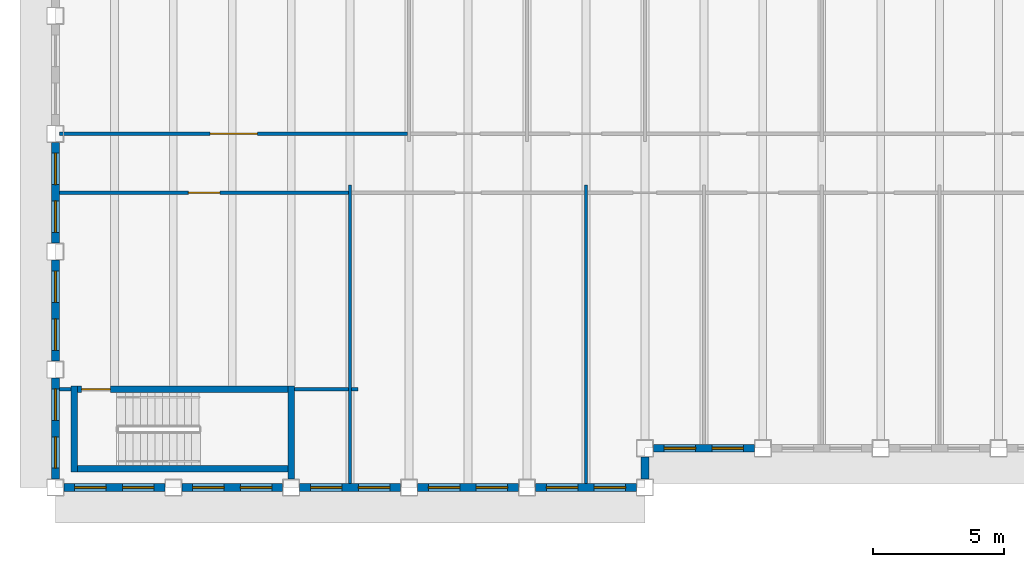
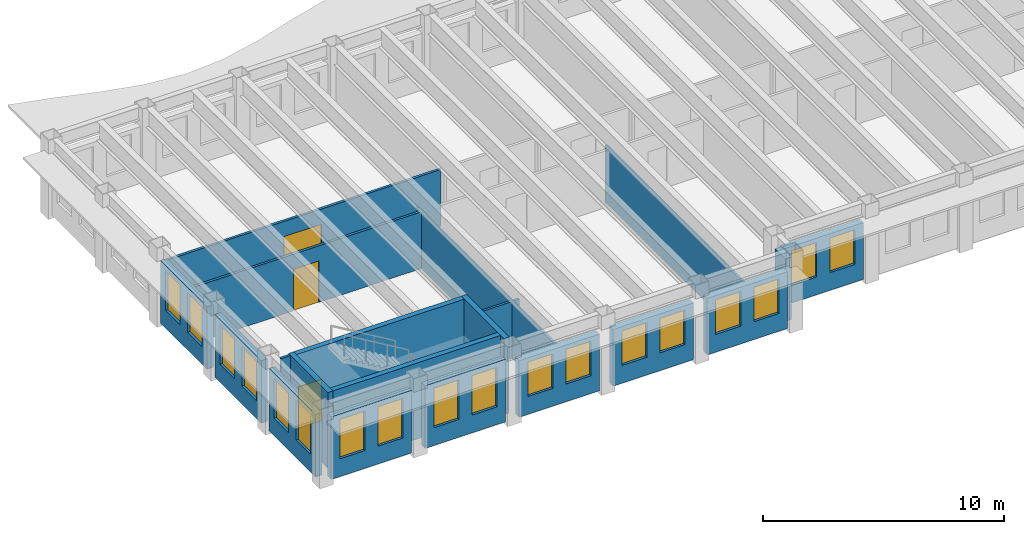
# One storey, part 2 of 12: 21 walls, 18 windows, 3 doors, 21 openings.
"""IFC4 building model written with IfcOpenShell, lengths in metres."""

from ifc_helpers import new_model, si_unit, direction, frame, frame_2d, origin, place, context, subcontext, project, spatial, rectangle, extrude, material, layer, layer_set, type_object, element, fill, save


model = new_model("IFC4")

# Units and contexts
model_context = context("Model", 3, precision=1e-05, world=origin(), true_north=direction((0.0, 1.0)))
body_context = subcontext(model_context, "Body", "Model", "MODEL_VIEW")
ifc_project = project(units=[si_unit("LENGTHUNIT", "METRE"), si_unit("AREAUNIT", "SQUARE_METRE"), si_unit("VOLUMEUNIT", "CUBIC_METRE"), si_unit("PLANEANGLEUNIT", "RADIAN"), si_unit("MASSUNIT", "GRAM", prefix="KILO")], contexts=[model_context])

# Site, building, storey
site_placement = place(None, origin())
site = spatial("IfcSite", under=ifc_project, at=site_placement, CompositionType="ELEMENT")
building_placement = place(site_placement, origin())
building = spatial("IfcBuilding", under=site, at=building_placement, Name="Sennacour Bend Tower", CompositionType="ELEMENT")
storey_placement = place(building_placement, frame((0.0, 0.0, 261.0)))
storey = spatial("IfcBuildingStorey", under=building, at=storey_placement, Name="L60", CompositionType="ELEMENT", Elevation=261.0)

# Walls
ifc_material_1 = material(Name="Plasterboard partition on steel studs", Category="steel")
ifc_layer_1 = layer(ifc_material_1, 0.1201171875, Name="Plasterboard partition on steel studs", Category="steel")
ifc_layer_set_1 = layer_set([ifc_layer_1], Name="Plasterboard partition on steel studs")
wall_type_1 = type_object("IfcWallType", Name="Partition 120", PredefinedType="PARTITIONING", material=ifc_layer_set_1)
for number, where, z_axis, x_axis, name in (
    (1, (11.25, 0.14990234375, 0.0), (0.0, 0.0, 1.0), (0.0, 1.0, 0.0), "P-L60-W004a"),
    (2, (20.25, 0.14990234375, 0.0), (0.0, 0.0, 1.0), (0.0, 1.0, 0.0), "P-L60-W007a"),
):
    element("IfcWall", number, at=place(storey_placement, frame(where, z_axis=z_axis, x_axis=x_axis)), inside=storey, type_object=wall_type_1, Name=name, PredefinedType="PARTITIONING", context=body_context, shape_type="SweptSolid", body=[
        extrude(rectangle(XDim=11.400146484375, YDim=0.1201171875, at=frame_2d((5.7001953125, 0.0))), origin(), (0.0, 0.0, 1.0), 2.8701171875),
    ])
wall_1_placement = place(storey_placement, frame((0.14990234375, 3.75, 0.0), z_axis=(0.0, 0.0, 1.0), x_axis=(1.0, 0.0, 0.0)))
element("IfcWall", 3, at=wall_1_placement, inside=storey, type_object=wall_type_1, Name="P-L60-W032a", PredefinedType="PARTITIONING", context=body_context, shape_type="SweptSolid", body=[
    extrude(rectangle(XDim=0.4501953125, YDim=0.1201171875, at=frame_2d((0.22509765625, 0.0))), origin(), (0.0, 0.0, 1.0), 3.85009765625),
])
wall_2_placement = place(storey_placement, frame((9.125, 3.75, 0.0), z_axis=(0.0, 0.0, 1.0), x_axis=(1.0, 0.0, 0.0)))
element("IfcWall", 4, at=wall_2_placement, inside=storey, type_object=wall_type_1, Name="P-L60-W034aa", PredefinedType="PARTITIONING", context=body_context, shape_type="SweptSolid", body=[
    extrude(rectangle(XDim=2.06494140625, YDim=0.1201171875, at=frame_2d((1.032470703125, 0.0))), origin(), (0.0, 0.0, 1.0), 2.8701171875),
])
wall_3_placement = place(storey_placement, frame((11.31005859375, 3.75, 0.0), z_axis=(0.0, 0.0, 1.0), x_axis=(1.0, 0.0, 0.0)))
element("IfcWall", 5, at=wall_3_placement, inside=storey, type_object=wall_type_1, Name="P-L60-W034ab", PredefinedType="PARTITIONING", context=body_context, shape_type="SweptSolid", body=[
    extrude(rectangle(XDim=0.239990234375, YDim=0.1201171875, at=frame_2d((0.1201171875, 0.0))), origin(), (0.0, 0.0, 1.0), 2.8701171875),
])

# Wall, opening, door
wall_4_placement = place(storey_placement, frame((0.14990234375, 13.5, 0.0), z_axis=(0.0, 0.0, 1.0), x_axis=(1.0, 0.0, 0.0)))
wall_4 = element("IfcWall", 6, at=wall_4_placement, inside=storey, type_object=wall_type_1, Name="P-L60-W041aa", PredefinedType="PARTITIONING", context=body_context, shape_type="SweptSolid", body=[
    extrude(rectangle(XDim=13.2900390625, YDim=0.1201171875, at=frame_2d((6.64501953125, 0.0))), origin(), (0.0, 0.0, 1.0), 2.8701171875),
])
opening_1_placement = place(wall_4_placement, frame((5.755126953125, 0.0, 0.0)))
opening_1 = element("IfcOpeningElement", 7, at=opening_1_placement, cuts=wall_4, Name="Opening OD3", PredefinedType="OPENING", context=body_context, shape_type="SweptSolid", body=[
    extrude(rectangle(XDim=1.800048828125, YDim=2.10009765625, at=frame_2d((0.89990234375, 1.050048828125))), frame((0.0, 0.070068359375, 0.0), z_axis=(0.0, -1.0, 0.0), x_axis=(1.0, 0.0, 0.0)), (0.0, 0.0, 1.0), 0.14013671875),
])
ifc_material_2 = material(Name="Timber", Category="wood")
door_type_1 = type_object("IfcDoorType", Name="DR-OFFICE-1800", OperationType="NOTDEFINED", PredefinedType="DOOR", material=ifc_material_2)
door_1_placement = place(opening_1_placement, origin())
door_1 = element("IfcDoor", 8, at=door_1_placement, inside=storey, type_object=door_type_1, Name="Door", OperationType="DOUBLE_DOOR_SINGLE_SWING", OverallHeight=2.10009765625, OverallWidth=1.800048828125, PredefinedType="DOOR", context=body_context, shape_type="SweptSolid", body=[
    extrude(rectangle(XDim=1.800048828125, YDim=2.10009765625, at=frame_2d((0.89990234375, 1.050048828125))), frame((0.0, 0.02490234375, 0.0), z_axis=(0.0, -1.0, 0.0), x_axis=(1.0, 0.0, 0.0)), (0.0, 0.0, 1.0), 0.050048828125),
])
fill(opening_1, door_1)

ifc_layer_2 = layer(ifc_material_1, 0.1201171875, Name="Plasterboard partition on steel studs", Category="steel")
ifc_layer_set_2 = layer_set([ifc_layer_2], Name="Plasterboard partition on steel studs")
wall_type_2 = type_object("IfcWallType", Name="Partition 120 EI 30", PredefinedType="PARTITIONING", material=ifc_layer_set_2)
wall_5_placement = place(storey_placement, frame((0.14990234375, 11.25, 0.0), z_axis=(0.0, 0.0, 1.0), x_axis=(1.0, 0.0, 0.0)))
wall_5 = element("IfcWall", 9, at=wall_5_placement, inside=storey, type_object=wall_type_2, Name="P-L60-W039aa", PredefinedType="PARTITIONING", context=body_context, shape_type="SweptSolid", body=[
    extrude(rectangle(XDim=11.0400390625, YDim=0.1201171875, at=frame_2d((5.52001953125, 0.0))), origin(), (0.0, 0.0, 1.0), 2.8701171875),
])
opening_2_placement = place(wall_5_placement, frame((4.93017578125, 0.0, 0.0)))
opening_2 = element("IfcOpeningElement", 10, at=opening_2_placement, cuts=wall_5, Name="Opening KD2", PredefinedType="OPENING", context=body_context, shape_type="SweptSolid", body=[
    extrude(rectangle(XDim=1.199951171875, YDim=2.10009765625, at=frame_2d((0.60009765625, 1.050048828125))), frame((0.0, 0.070068359375, 0.0), z_axis=(0.0, -1.0, 0.0), x_axis=(1.0, 0.0, 0.0)), (0.0, 0.0, 1.0), 0.14013671875),
])
ifc_material_3 = material(Name="Painted steel", Category="steel")
door_type_2 = type_object("IfcDoorType", Name="DR-CORRIDOR-1200", OperationType="NOTDEFINED", PredefinedType="DOOR", material=ifc_material_3)
door_2_placement = place(opening_2_placement, origin())
door_2 = element("IfcDoor", 11, at=door_2_placement, inside=storey, type_object=door_type_2, Name="Door", OperationType="SINGLE_SWING_LEFT", OverallHeight=2.10009765625, OverallWidth=1.199951171875, PredefinedType="DOOR", context=body_context, shape_type="SweptSolid", body=[
    extrude(rectangle(XDim=1.199951171875, YDim=2.10009765625, at=frame_2d((0.60009765625, 1.050048828125))), frame((0.0, 0.02490234375, 0.0), z_axis=(0.0, -1.0, 0.0), x_axis=(1.0, 0.0, 0.0)), (0.0, 0.0, 1.0), 0.050048828125),
])
fill(opening_2, door_2)

# Wall
ifc_material_4 = material(Name="Warm limestone cladding", Category="masonry")
ifc_layer_3 = layer(ifc_material_4, 0.050048828125, Name="Warm limestone cladding", Category="masonry")
ifc_material_5 = material(Name="Precast concrete C40/50", Category="concrete")
ifc_layer_4 = layer(ifc_material_5, 0.25, Name="Precast concrete C40/50", Category="concrete")
ifc_layer_set_3 = layer_set([ifc_layer_3, ifc_layer_4], Name="Precast concrete C40/50 with limestone cladding")
wall_type_3 = type_object("IfcWallType", Name="STONE-CLAD PRECAST SPANDREL 300", PredefinedType="STANDARD", material=ifc_layer_set_3)
wall_6_placement = place(storey_placement, frame((22.5, 0.324951171875, 0.0), z_axis=(0.0, 0.0, 1.0), x_axis=(0.0, 1.0, 0.0)))
element("IfcWall", 12, at=wall_6_placement, inside=storey, type_object=wall_type_3, Name="Stone spandrel and pier wall L60 00.00", PredefinedType="STANDARD", context=body_context, shape_type="SweptSolid", body=[
    extrude(rectangle(XDim=0.85009765625, YDim=0.300048828125, at=frame_2d((0.425048828125, 0.0))), origin(), (0.0, 0.0, 1.0), 3.162109375),
])

# Wall, openings, windows
wall_7_placement = place(storey_placement, frame((22.824951171875, 1.5, 0.0), z_axis=(0.0, 0.0, 1.0), x_axis=(1.0, 0.0, 0.0)))
wall_7 = element("IfcWall", 13, at=wall_7_placement, inside=storey, type_object=wall_type_3, Name="Stone spandrel and pier wall L60 01.00", PredefinedType="STANDARD", context=body_context, shape_type="SweptSolid", body=[
    extrude(rectangle(XDim=3.85009765625, YDim=0.300048828125, at=frame_2d((1.925048828125, 0.0))), origin(), (0.0, 0.0, 1.0), 2.8701171875),
])
opening_3_placement = place(wall_7_placement, frame((0.41259765625, 0.0, 0.89990234375)))
opening_3 = element("IfcOpeningElement", 14, at=opening_3_placement, cuts=wall_7, Name="Opening W16", PredefinedType="OPENING", context=body_context, shape_type="SweptSolid", body=[
    extrude(rectangle(XDim=1.199951171875, YDim=1.75, at=frame_2d((0.60009765625, 0.875))), frame((0.0, 0.16015625, 0.0), z_axis=(0.0, -1.0, 0.0), x_axis=(1.0, 0.0, 0.0)), (0.0, 0.0, 1.0), 0.320068359375),
])
opening_4_placement = place(wall_7_placement, frame((2.237548828125, 0.0, 0.89990234375)))
opening_4 = element("IfcOpeningElement", 15, at=opening_4_placement, cuts=wall_7, Name="Opening W16", PredefinedType="OPENING", context=body_context, shape_type="SweptSolid", body=[
    extrude(rectangle(XDim=1.199951171875, YDim=1.75, at=frame_2d((0.60009765625, 0.875))), frame((0.0, 0.16015625, 0.0), z_axis=(0.0, -1.0, 0.0), x_axis=(1.0, 0.0, 0.0)), (0.0, 0.0, 1.0), 0.320068359375),
])
ifc_material_6 = material(Name="Clear low-emissivity glass", Category="glass")
window_type_1 = type_object("IfcWindowType", Name="WIN-RIBBON-1200x1750", PartitioningType="SINGLE_PANEL", PredefinedType="WINDOW", material=ifc_material_6)
window_1_placement = place(opening_3_placement, origin())
window_1 = element("IfcWindow", 16, at=window_1_placement, inside=storey, type_object=window_type_1, Name="Ribbon window L60 01.00.0", OverallHeight=1.75, OverallWidth=1.199951171875, PartitioningType="SINGLE_PANEL", PredefinedType="WINDOW", context=body_context, shape_type="SweptSolid", body=[
    extrude(rectangle(XDim=1.199951171875, YDim=1.75, at=frame_2d((0.60009765625, 0.875))), frame((0.0, 0.030029296875, 0.0), z_axis=(0.0, -1.0, 0.0), x_axis=(1.0, 0.0, 0.0)), (0.0, 0.0, 1.0), 0.06005859375),
])
fill(opening_3, window_1)
window_2_placement = place(opening_4_placement, origin())
window_2 = element("IfcWindow", 17, at=window_2_placement, inside=storey, type_object=window_type_1, Name="Ribbon window L60 01.00.1", OverallHeight=1.75, OverallWidth=1.199951171875, PartitioningType="SINGLE_PANEL", PredefinedType="WINDOW", context=body_context, shape_type="SweptSolid", body=[
    extrude(rectangle(XDim=1.199951171875, YDim=1.75, at=frame_2d((0.60009765625, 0.875))), frame((0.0, 0.030029296875, 0.0), z_axis=(0.0, -1.0, 0.0), x_axis=(1.0, 0.0, 0.0)), (0.0, 0.0, 1.0), 0.06005859375),
])
fill(opening_4, window_2)

wall_8_placement = place(storey_placement, frame((0.0, 13.175048828125, 0.0), z_axis=(0.0, 0.0, 1.0), x_axis=(0.0, -1.0, 0.0)))
wall_8 = element("IfcWall", 18, at=wall_8_placement, inside=storey, type_object=wall_type_3, Name="Stone spandrel and pier wall L60 10.02", PredefinedType="STANDARD", context=body_context, shape_type="SweptSolid", body=[
    extrude(rectangle(XDim=3.85009765625, YDim=0.300048828125, at=frame_2d((1.925048828125, 0.0))), origin(), (0.0, 0.0, 1.0), 3.162109375),
])
opening_5_placement = place(wall_8_placement, frame((0.41259765625, 0.0, 0.89990234375)))
opening_5 = element("IfcOpeningElement", 19, at=opening_5_placement, cuts=wall_8, Name="Opening W14", PredefinedType="OPENING", context=body_context, shape_type="SweptSolid", body=[
    extrude(rectangle(XDim=1.199951171875, YDim=2.0, at=frame_2d((0.60009765625, 1.0))), frame((0.0, 0.16015625, 0.0), z_axis=(0.0, -1.0, 0.0), x_axis=(1.0, 0.0, 0.0)), (0.0, 0.0, 1.0), 0.320068359375),
])
opening_6_placement = place(wall_8_placement, frame((2.237548828125, 0.0, 0.89990234375)))
opening_6 = element("IfcOpeningElement", 20, at=opening_6_placement, cuts=wall_8, Name="Opening W14", PredefinedType="OPENING", context=body_context, shape_type="SweptSolid", body=[
    extrude(rectangle(XDim=1.199951171875, YDim=2.0, at=frame_2d((0.60009765625, 1.0))), frame((0.0, 0.16015625, 0.0), z_axis=(0.0, -1.0, 0.0), x_axis=(1.0, 0.0, 0.0)), (0.0, 0.0, 1.0), 0.320068359375),
])
window_type_2 = type_object("IfcWindowType", Name="WIN-RIBBON-1200x2000", PartitioningType="SINGLE_PANEL", PredefinedType="WINDOW", material=ifc_material_6)
window_3_placement = place(opening_5_placement, origin())
window_3 = element("IfcWindow", 21, at=window_3_placement, inside=storey, type_object=window_type_2, Name="Ribbon window L60 10.02.0", OverallHeight=2.0, OverallWidth=1.199951171875, PartitioningType="SINGLE_PANEL", PredefinedType="WINDOW", context=body_context, shape_type="SweptSolid", body=[
    extrude(rectangle(XDim=1.199951171875, YDim=2.0, at=frame_2d((0.60009765625, 1.0))), frame((0.0, 0.030029296875, 0.0), z_axis=(0.0, -1.0, 0.0), x_axis=(1.0, 0.0, 0.0)), (0.0, 0.0, 1.0), 0.06005859375),
])
fill(opening_5, window_3)
window_4_placement = place(opening_6_placement, origin())
window_4 = element("IfcWindow", 22, at=window_4_placement, inside=storey, type_object=window_type_2, Name="Ribbon window L60 10.02.1", OverallHeight=2.0, OverallWidth=1.199951171875, PartitioningType="SINGLE_PANEL", PredefinedType="WINDOW", context=body_context, shape_type="SweptSolid", body=[
    extrude(rectangle(XDim=1.199951171875, YDim=2.0, at=frame_2d((0.60009765625, 1.0))), frame((0.0, 0.030029296875, 0.0), z_axis=(0.0, -1.0, 0.0), x_axis=(1.0, 0.0, 0.0)), (0.0, 0.0, 1.0), 0.06005859375),
])
fill(opening_6, window_4)

wall_9_placement = place(storey_placement, frame((0.0, 8.675048828125, 0.0), z_axis=(0.0, 0.0, 1.0), x_axis=(0.0, -1.0, 0.0)))
wall_9 = element("IfcWall", 23, at=wall_9_placement, inside=storey, type_object=wall_type_3, Name="Stone spandrel and pier wall L60 10.03", PredefinedType="STANDARD", context=body_context, shape_type="SweptSolid", body=[
    extrude(rectangle(XDim=3.85009765625, YDim=0.300048828125, at=frame_2d((1.925048828125, 0.0))), origin(), (0.0, 0.0, 1.0), 3.162109375),
])
opening_7_placement = place(wall_9_placement, frame((0.41259765625, 0.0, 0.89990234375)))
opening_7 = element("IfcOpeningElement", 24, at=opening_7_placement, cuts=wall_9, Name="Opening W14", PredefinedType="OPENING", context=body_context, shape_type="SweptSolid", body=[
    extrude(rectangle(XDim=1.199951171875, YDim=2.0, at=frame_2d((0.60009765625, 1.0))), frame((0.0, 0.16015625, 0.0), z_axis=(0.0, -1.0, 0.0), x_axis=(1.0, 0.0, 0.0)), (0.0, 0.0, 1.0), 0.320068359375),
])
opening_8_placement = place(wall_9_placement, frame((2.237548828125, 0.0, 0.89990234375)))
opening_8 = element("IfcOpeningElement", 25, at=opening_8_placement, cuts=wall_9, Name="Opening W14", PredefinedType="OPENING", context=body_context, shape_type="SweptSolid", body=[
    extrude(rectangle(XDim=1.199951171875, YDim=2.0, at=frame_2d((0.60009765625, 1.0))), frame((0.0, 0.16015625, 0.0), z_axis=(0.0, -1.0, 0.0), x_axis=(1.0, 0.0, 0.0)), (0.0, 0.0, 1.0), 0.320068359375),
])
window_5_placement = place(opening_7_placement, origin())
window_5 = element("IfcWindow", 26, at=window_5_placement, inside=storey, type_object=window_type_2, Name="Ribbon window L60 10.03.0", OverallHeight=2.0, OverallWidth=1.199951171875, PartitioningType="SINGLE_PANEL", PredefinedType="WINDOW", context=body_context, shape_type="SweptSolid", body=[
    extrude(rectangle(XDim=1.199951171875, YDim=2.0, at=frame_2d((0.60009765625, 1.0))), frame((0.0, 0.030029296875, 0.0), z_axis=(0.0, -1.0, 0.0), x_axis=(1.0, 0.0, 0.0)), (0.0, 0.0, 1.0), 0.06005859375),
])
fill(opening_7, window_5)
window_6_placement = place(opening_8_placement, origin())
window_6 = element("IfcWindow", 27, at=window_6_placement, inside=storey, type_object=window_type_2, Name="Ribbon window L60 10.03.1", OverallHeight=2.0, OverallWidth=1.199951171875, PartitioningType="SINGLE_PANEL", PredefinedType="WINDOW", context=body_context, shape_type="SweptSolid", body=[
    extrude(rectangle(XDim=1.199951171875, YDim=2.0, at=frame_2d((0.60009765625, 1.0))), frame((0.0, 0.030029296875, 0.0), z_axis=(0.0, -1.0, 0.0), x_axis=(1.0, 0.0, 0.0)), (0.0, 0.0, 1.0), 0.06005859375),
])
fill(opening_8, window_6)

wall_10_placement = place(storey_placement, frame((0.0, 4.175048828125, 0.0), z_axis=(0.0, 0.0, 1.0), x_axis=(0.0, -1.0, 0.0)))
wall_10 = element("IfcWall", 28, at=wall_10_placement, inside=storey, type_object=wall_type_3, Name="Stone spandrel and pier wall L60 10.04", PredefinedType="STANDARD", context=body_context, shape_type="SweptSolid", body=[
    extrude(rectangle(XDim=3.85009765625, YDim=0.300048828125, at=frame_2d((1.925048828125, 0.0))), origin(), (0.0, 0.0, 1.0), 3.162109375),
])
opening_9_placement = place(wall_10_placement, frame((0.41259765625, 0.0, 0.89990234375)))
opening_9 = element("IfcOpeningElement", 29, at=opening_9_placement, cuts=wall_10, Name="Opening W14", PredefinedType="OPENING", context=body_context, shape_type="SweptSolid", body=[
    extrude(rectangle(XDim=1.199951171875, YDim=2.0, at=frame_2d((0.60009765625, 1.0))), frame((0.0, 0.16015625, 0.0), z_axis=(0.0, -1.0, 0.0), x_axis=(1.0, 0.0, 0.0)), (0.0, 0.0, 1.0), 0.320068359375),
])
opening_10_placement = place(wall_10_placement, frame((2.237548828125, 0.0, 0.89990234375)))
opening_10 = element("IfcOpeningElement", 30, at=opening_10_placement, cuts=wall_10, Name="Opening W14", PredefinedType="OPENING", context=body_context, shape_type="SweptSolid", body=[
    extrude(rectangle(XDim=1.199951171875, YDim=2.0, at=frame_2d((0.60009765625, 1.0))), frame((0.0, 0.16015625, 0.0), z_axis=(0.0, -1.0, 0.0), x_axis=(1.0, 0.0, 0.0)), (0.0, 0.0, 1.0), 0.320068359375),
])
window_7_placement = place(opening_9_placement, origin())
window_7 = element("IfcWindow", 31, at=window_7_placement, inside=storey, type_object=window_type_2, Name="Ribbon window L60 10.04.0", OverallHeight=2.0, OverallWidth=1.199951171875, PartitioningType="SINGLE_PANEL", PredefinedType="WINDOW", context=body_context, shape_type="SweptSolid", body=[
    extrude(rectangle(XDim=1.199951171875, YDim=2.0, at=frame_2d((0.60009765625, 1.0))), frame((0.0, 0.030029296875, 0.0), z_axis=(0.0, -1.0, 0.0), x_axis=(1.0, 0.0, 0.0)), (0.0, 0.0, 1.0), 0.06005859375),
])
fill(opening_9, window_7)
window_8_placement = place(opening_10_placement, origin())
window_8 = element("IfcWindow", 32, at=window_8_placement, inside=storey, type_object=window_type_2, Name="Ribbon window L60 10.04.1", OverallHeight=2.0, OverallWidth=1.199951171875, PartitioningType="SINGLE_PANEL", PredefinedType="WINDOW", context=body_context, shape_type="SweptSolid", body=[
    extrude(rectangle(XDim=1.199951171875, YDim=2.0, at=frame_2d((0.60009765625, 1.0))), frame((0.0, 0.030029296875, 0.0), z_axis=(0.0, -1.0, 0.0), x_axis=(1.0, 0.0, 0.0)), (0.0, 0.0, 1.0), 0.06005859375),
])
fill(opening_10, window_8)

wall_11_placement = place(storey_placement, frame((0.324951171875, 0.0, 0.0), z_axis=(0.0, 0.0, 1.0), x_axis=(1.0, 0.0, 0.0)))
wall_11 = element("IfcWall", 33, at=wall_11_placement, inside=storey, type_object=wall_type_3, Name="Stone spandrel and pier wall L60 11.00", PredefinedType="STANDARD", context=body_context, shape_type="SweptSolid", body=[
    extrude(rectangle(XDim=3.85009765625, YDim=0.300048828125, at=frame_2d((1.925048828125, 0.0))), origin(), (0.0, 0.0, 1.0), 3.162109375),
])
opening_11_placement = place(wall_11_placement, frame((0.41259765625, 0.0, 0.89990234375)))
opening_11 = element("IfcOpeningElement", 34, at=opening_11_placement, cuts=wall_11, Name="Opening W14", PredefinedType="OPENING", context=body_context, shape_type="SweptSolid", body=[
    extrude(rectangle(XDim=1.199951171875, YDim=2.0, at=frame_2d((0.60009765625, 1.0))), frame((0.0, 0.16015625, 0.0), z_axis=(0.0, -1.0, 0.0), x_axis=(1.0, 0.0, 0.0)), (0.0, 0.0, 1.0), 0.320068359375),
])
opening_12_placement = place(wall_11_placement, frame((2.237548828125, 0.0, 0.89990234375)))
opening_12 = element("IfcOpeningElement", 35, at=opening_12_placement, cuts=wall_11, Name="Opening W14", PredefinedType="OPENING", context=body_context, shape_type="SweptSolid", body=[
    extrude(rectangle(XDim=1.199951171875, YDim=2.0, at=frame_2d((0.60009765625, 1.0))), frame((0.0, 0.16015625, 0.0), z_axis=(0.0, -1.0, 0.0), x_axis=(1.0, 0.0, 0.0)), (0.0, 0.0, 1.0), 0.320068359375),
])
window_9_placement = place(opening_11_placement, origin())
window_9 = element("IfcWindow", 36, at=window_9_placement, inside=storey, type_object=window_type_2, Name="Ribbon window L60 11.00.0", OverallHeight=2.0, OverallWidth=1.199951171875, PartitioningType="SINGLE_PANEL", PredefinedType="WINDOW", context=body_context, shape_type="SweptSolid", body=[
    extrude(rectangle(XDim=1.199951171875, YDim=2.0, at=frame_2d((0.60009765625, 1.0))), frame((0.0, 0.030029296875, 0.0), z_axis=(0.0, -1.0, 0.0), x_axis=(1.0, 0.0, 0.0)), (0.0, 0.0, 1.0), 0.06005859375),
])
fill(opening_11, window_9)
window_10_placement = place(opening_12_placement, origin())
window_10 = element("IfcWindow", 37, at=window_10_placement, inside=storey, type_object=window_type_2, Name="Ribbon window L60 11.00.1", OverallHeight=2.0, OverallWidth=1.199951171875, PartitioningType="SINGLE_PANEL", PredefinedType="WINDOW", context=body_context, shape_type="SweptSolid", body=[
    extrude(rectangle(XDim=1.199951171875, YDim=2.0, at=frame_2d((0.60009765625, 1.0))), frame((0.0, 0.030029296875, 0.0), z_axis=(0.0, -1.0, 0.0), x_axis=(1.0, 0.0, 0.0)), (0.0, 0.0, 1.0), 0.06005859375),
])
fill(opening_12, window_10)

wall_12_placement = place(storey_placement, frame((4.824951171875, 0.0, 0.0), z_axis=(0.0, 0.0, 1.0), x_axis=(1.0, 0.0, 0.0)))
wall_12 = element("IfcWall", 38, at=wall_12_placement, inside=storey, type_object=wall_type_3, Name="Stone spandrel and pier wall L60 11.01", PredefinedType="STANDARD", context=body_context, shape_type="SweptSolid", body=[
    extrude(rectangle(XDim=3.85009765625, YDim=0.300048828125, at=frame_2d((1.925048828125, 0.0))), origin(), (0.0, 0.0, 1.0), 3.162109375),
])
opening_13_placement = place(wall_12_placement, frame((0.41259765625, 0.0, 0.89990234375)))
opening_13 = element("IfcOpeningElement", 39, at=opening_13_placement, cuts=wall_12, Name="Opening W14", PredefinedType="OPENING", context=body_context, shape_type="SweptSolid", body=[
    extrude(rectangle(XDim=1.199951171875, YDim=2.0, at=frame_2d((0.60009765625, 1.0))), frame((0.0, 0.16015625, 0.0), z_axis=(0.0, -1.0, 0.0), x_axis=(1.0, 0.0, 0.0)), (0.0, 0.0, 1.0), 0.320068359375),
])
opening_14_placement = place(wall_12_placement, frame((2.237548828125, 0.0, 0.89990234375)))
opening_14 = element("IfcOpeningElement", 40, at=opening_14_placement, cuts=wall_12, Name="Opening W14", PredefinedType="OPENING", context=body_context, shape_type="SweptSolid", body=[
    extrude(rectangle(XDim=1.199951171875, YDim=2.0, at=frame_2d((0.60009765625, 1.0))), frame((0.0, 0.16015625, 0.0), z_axis=(0.0, -1.0, 0.0), x_axis=(1.0, 0.0, 0.0)), (0.0, 0.0, 1.0), 0.320068359375),
])
window_11_placement = place(opening_13_placement, origin())
window_11 = element("IfcWindow", 41, at=window_11_placement, inside=storey, type_object=window_type_2, Name="Ribbon window L60 11.01.0", OverallHeight=2.0, OverallWidth=1.199951171875, PartitioningType="SINGLE_PANEL", PredefinedType="WINDOW", context=body_context, shape_type="SweptSolid", body=[
    extrude(rectangle(XDim=1.199951171875, YDim=2.0, at=frame_2d((0.60009765625, 1.0))), frame((0.0, 0.030029296875, 0.0), z_axis=(0.0, -1.0, 0.0), x_axis=(1.0, 0.0, 0.0)), (0.0, 0.0, 1.0), 0.06005859375),
])
fill(opening_13, window_11)
window_12_placement = place(opening_14_placement, origin())
window_12 = element("IfcWindow", 42, at=window_12_placement, inside=storey, type_object=window_type_2, Name="Ribbon window L60 11.01.1", OverallHeight=2.0, OverallWidth=1.199951171875, PartitioningType="SINGLE_PANEL", PredefinedType="WINDOW", context=body_context, shape_type="SweptSolid", body=[
    extrude(rectangle(XDim=1.199951171875, YDim=2.0, at=frame_2d((0.60009765625, 1.0))), frame((0.0, 0.030029296875, 0.0), z_axis=(0.0, -1.0, 0.0), x_axis=(1.0, 0.0, 0.0)), (0.0, 0.0, 1.0), 0.06005859375),
])
fill(opening_14, window_12)

wall_13_placement = place(storey_placement, frame((9.324951171875, 0.0, 0.0), z_axis=(0.0, 0.0, 1.0), x_axis=(1.0, 0.0, 0.0)))
wall_13 = element("IfcWall", 43, at=wall_13_placement, inside=storey, type_object=wall_type_3, Name="Stone spandrel and pier wall L60 11.02", PredefinedType="STANDARD", context=body_context, shape_type="SweptSolid", body=[
    extrude(rectangle(XDim=3.85009765625, YDim=0.300048828125, at=frame_2d((1.925048828125, 0.0))), origin(), (0.0, 0.0, 1.0), 2.8701171875),
])
opening_15_placement = place(wall_13_placement, frame((0.41259765625, 0.0, 0.89990234375)))
opening_15 = element("IfcOpeningElement", 44, at=opening_15_placement, cuts=wall_13, Name="Opening W16", PredefinedType="OPENING", context=body_context, shape_type="SweptSolid", body=[
    extrude(rectangle(XDim=1.199951171875, YDim=1.75, at=frame_2d((0.60009765625, 0.875))), frame((0.0, 0.16015625, 0.0), z_axis=(0.0, -1.0, 0.0), x_axis=(1.0, 0.0, 0.0)), (0.0, 0.0, 1.0), 0.320068359375),
])
opening_16_placement = place(wall_13_placement, frame((2.237548828125, 0.0, 0.89990234375)))
opening_16 = element("IfcOpeningElement", 45, at=opening_16_placement, cuts=wall_13, Name="Opening W16", PredefinedType="OPENING", context=body_context, shape_type="SweptSolid", body=[
    extrude(rectangle(XDim=1.199951171875, YDim=1.75, at=frame_2d((0.60009765625, 0.875))), frame((0.0, 0.16015625, 0.0), z_axis=(0.0, -1.0, 0.0), x_axis=(1.0, 0.0, 0.0)), (0.0, 0.0, 1.0), 0.320068359375),
])
window_13_placement = place(opening_15_placement, origin())
window_13 = element("IfcWindow", 46, at=window_13_placement, inside=storey, type_object=window_type_1, Name="Ribbon window L60 11.02.0", OverallHeight=1.75, OverallWidth=1.199951171875, PartitioningType="SINGLE_PANEL", PredefinedType="WINDOW", context=body_context, shape_type="SweptSolid", body=[
    extrude(rectangle(XDim=1.199951171875, YDim=1.75, at=frame_2d((0.60009765625, 0.875))), frame((0.0, 0.030029296875, 0.0), z_axis=(0.0, -1.0, 0.0), x_axis=(1.0, 0.0, 0.0)), (0.0, 0.0, 1.0), 0.06005859375),
])
fill(opening_15, window_13)
window_14_placement = place(opening_16_placement, origin())
window_14 = element("IfcWindow", 47, at=window_14_placement, inside=storey, type_object=window_type_1, Name="Ribbon window L60 11.02.1", OverallHeight=1.75, OverallWidth=1.199951171875, PartitioningType="SINGLE_PANEL", PredefinedType="WINDOW", context=body_context, shape_type="SweptSolid", body=[
    extrude(rectangle(XDim=1.199951171875, YDim=1.75, at=frame_2d((0.60009765625, 0.875))), frame((0.0, 0.030029296875, 0.0), z_axis=(0.0, -1.0, 0.0), x_axis=(1.0, 0.0, 0.0)), (0.0, 0.0, 1.0), 0.06005859375),
])
fill(opening_16, window_14)

wall_14_placement = place(storey_placement, frame((13.824951171875, 0.0, 0.0), z_axis=(0.0, 0.0, 1.0), x_axis=(1.0, 0.0, 0.0)))
wall_14 = element("IfcWall", 48, at=wall_14_placement, inside=storey, type_object=wall_type_3, Name="Stone spandrel and pier wall L60 11.03", PredefinedType="STANDARD", context=body_context, shape_type="SweptSolid", body=[
    extrude(rectangle(XDim=3.85009765625, YDim=0.300048828125, at=frame_2d((1.925048828125, 0.0))), origin(), (0.0, 0.0, 1.0), 2.8701171875),
])
opening_17_placement = place(wall_14_placement, frame((0.41259765625, 0.0, 0.89990234375)))
opening_17 = element("IfcOpeningElement", 49, at=opening_17_placement, cuts=wall_14, Name="Opening W16", PredefinedType="OPENING", context=body_context, shape_type="SweptSolid", body=[
    extrude(rectangle(XDim=1.199951171875, YDim=1.75, at=frame_2d((0.60009765625, 0.875))), frame((0.0, 0.16015625, 0.0), z_axis=(0.0, -1.0, 0.0), x_axis=(1.0, 0.0, 0.0)), (0.0, 0.0, 1.0), 0.320068359375),
])
opening_18_placement = place(wall_14_placement, frame((2.237548828125, 0.0, 0.89990234375)))
opening_18 = element("IfcOpeningElement", 50, at=opening_18_placement, cuts=wall_14, Name="Opening W16", PredefinedType="OPENING", context=body_context, shape_type="SweptSolid", body=[
    extrude(rectangle(XDim=1.199951171875, YDim=1.75, at=frame_2d((0.60009765625, 0.875))), frame((0.0, 0.16015625, 0.0), z_axis=(0.0, -1.0, 0.0), x_axis=(1.0, 0.0, 0.0)), (0.0, 0.0, 1.0), 0.320068359375),
])
window_15_placement = place(opening_17_placement, origin())
window_15 = element("IfcWindow", 51, at=window_15_placement, inside=storey, type_object=window_type_1, Name="Ribbon window L60 11.03.0", OverallHeight=1.75, OverallWidth=1.199951171875, PartitioningType="SINGLE_PANEL", PredefinedType="WINDOW", context=body_context, shape_type="SweptSolid", body=[
    extrude(rectangle(XDim=1.199951171875, YDim=1.75, at=frame_2d((0.60009765625, 0.875))), frame((0.0, 0.030029296875, 0.0), z_axis=(0.0, -1.0, 0.0), x_axis=(1.0, 0.0, 0.0)), (0.0, 0.0, 1.0), 0.06005859375),
])
fill(opening_17, window_15)
window_16_placement = place(opening_18_placement, origin())
window_16 = element("IfcWindow", 52, at=window_16_placement, inside=storey, type_object=window_type_1, Name="Ribbon window L60 11.03.1", OverallHeight=1.75, OverallWidth=1.199951171875, PartitioningType="SINGLE_PANEL", PredefinedType="WINDOW", context=body_context, shape_type="SweptSolid", body=[
    extrude(rectangle(XDim=1.199951171875, YDim=1.75, at=frame_2d((0.60009765625, 0.875))), frame((0.0, 0.030029296875, 0.0), z_axis=(0.0, -1.0, 0.0), x_axis=(1.0, 0.0, 0.0)), (0.0, 0.0, 1.0), 0.06005859375),
])
fill(opening_18, window_16)

wall_15_placement = place(storey_placement, frame((18.324951171875, 0.0, 0.0), z_axis=(0.0, 0.0, 1.0), x_axis=(1.0, 0.0, 0.0)))
wall_15 = element("IfcWall", 53, at=wall_15_placement, inside=storey, type_object=wall_type_3, Name="Stone spandrel and pier wall L60 11.04", PredefinedType="STANDARD", context=body_context, shape_type="SweptSolid", body=[
    extrude(rectangle(XDim=3.85009765625, YDim=0.300048828125, at=frame_2d((1.925048828125, 0.0))), origin(), (0.0, 0.0, 1.0), 2.8701171875),
])
opening_19_placement = place(wall_15_placement, frame((0.41259765625, 0.0, 0.89990234375)))
opening_19 = element("IfcOpeningElement", 54, at=opening_19_placement, cuts=wall_15, Name="Opening W16", PredefinedType="OPENING", context=body_context, shape_type="SweptSolid", body=[
    extrude(rectangle(XDim=1.199951171875, YDim=1.75, at=frame_2d((0.60009765625, 0.875))), frame((0.0, 0.16015625, 0.0), z_axis=(0.0, -1.0, 0.0), x_axis=(1.0, 0.0, 0.0)), (0.0, 0.0, 1.0), 0.320068359375),
])
opening_20_placement = place(wall_15_placement, frame((2.237548828125, 0.0, 0.89990234375)))
opening_20 = element("IfcOpeningElement", 55, at=opening_20_placement, cuts=wall_15, Name="Opening W16", PredefinedType="OPENING", context=body_context, shape_type="SweptSolid", body=[
    extrude(rectangle(XDim=1.199951171875, YDim=1.75, at=frame_2d((0.60009765625, 0.875))), frame((0.0, 0.16015625, 0.0), z_axis=(0.0, -1.0, 0.0), x_axis=(1.0, 0.0, 0.0)), (0.0, 0.0, 1.0), 0.320068359375),
])
window_17_placement = place(opening_19_placement, origin())
window_17 = element("IfcWindow", 56, at=window_17_placement, inside=storey, type_object=window_type_1, Name="Ribbon window L60 11.04.0", OverallHeight=1.75, OverallWidth=1.199951171875, PartitioningType="SINGLE_PANEL", PredefinedType="WINDOW", context=body_context, shape_type="SweptSolid", body=[
    extrude(rectangle(XDim=1.199951171875, YDim=1.75, at=frame_2d((0.60009765625, 0.875))), frame((0.0, 0.030029296875, 0.0), z_axis=(0.0, -1.0, 0.0), x_axis=(1.0, 0.0, 0.0)), (0.0, 0.0, 1.0), 0.06005859375),
])
fill(opening_19, window_17)
window_18_placement = place(opening_20_placement, origin())
window_18 = element("IfcWindow", 57, at=window_18_placement, inside=storey, type_object=window_type_1, Name="Ribbon window L60 11.04.1", OverallHeight=1.75, OverallWidth=1.199951171875, PartitioningType="SINGLE_PANEL", PredefinedType="WINDOW", context=body_context, shape_type="SweptSolid", body=[
    extrude(rectangle(XDim=1.199951171875, YDim=1.75, at=frame_2d((0.60009765625, 0.875))), frame((0.0, 0.030029296875, 0.0), z_axis=(0.0, -1.0, 0.0), x_axis=(1.0, 0.0, 0.0)), (0.0, 0.0, 1.0), 0.06005859375),
])
fill(opening_20, window_18)

# Walls
ifc_material_7 = material(Name="Concrete C60/75", Category="concrete")
ifc_layer_5 = layer(ifc_material_7, 0.25, Name="Concrete C60/75", Category="concrete")
ifc_layer_set_4 = layer_set([ifc_layer_5], Name="Concrete C60/75")
wall_type_4 = type_object("IfcWallType", Name="Stair wall 250", PredefinedType="SHEAR", material=ifc_layer_set_4)
wall_16_placement = place(storey_placement, frame((0.72509765625, 0.60009765625, 0.0), z_axis=(0.0, 0.0, 1.0), x_axis=(0.0, 1.0, 0.0)))
element("IfcWall", 58, at=wall_16_placement, inside=storey, type_object=wall_type_4, Name="P-L60-W002", PredefinedType="SHEAR", context=body_context, shape_type="SweptSolid", body=[
    extrude(rectangle(XDim=3.27490234375, YDim=0.25, at=frame_2d((1.637451171875, 0.0))), origin(), (0.0, 0.0, 1.0), 3.85009765625),
])
wall_17_placement = place(storey_placement, frame((9.0, 0.324951171875, 0.0), z_axis=(0.0, 0.0, 1.0), x_axis=(0.0, 1.0, 0.0)))
element("IfcWall", 59, at=wall_17_placement, inside=storey, type_object=wall_type_4, Name="P-L60-W003", PredefinedType="SHEAR", context=body_context, shape_type="SweptSolid", body=[
    extrude(rectangle(XDim=3.550048828125, YDim=0.25, at=frame_2d((1.77490234375, 0.0))), origin(), (0.0, 0.0, 1.0), 3.85009765625),
])
wall_18_placement = place(storey_placement, frame((0.85009765625, 0.72509765625, 0.0), z_axis=(0.0, 0.0, 1.0), x_axis=(1.0, 0.0, 0.0)))
element("IfcWall", 60, at=wall_18_placement, inside=storey, type_object=wall_type_4, Name="P-L60-W030", PredefinedType="SHEAR", context=body_context, shape_type="SweptSolid", body=[
    extrude(rectangle(XDim=8.02490234375, YDim=0.25, at=frame_2d((4.012451171875, 0.0))), origin(), (0.0, 0.0, 1.0), 3.85009765625),
])

# Wall, opening, door
wall_19_placement = place(storey_placement, frame((0.85009765625, 3.75, 0.0), z_axis=(0.0, 0.0, 1.0), x_axis=(1.0, 0.0, 0.0)))
wall_19 = element("IfcWall", 61, at=wall_19_placement, inside=storey, type_object=wall_type_4, Name="P-L60-W033", PredefinedType="SHEAR", context=body_context, shape_type="SweptSolid", body=[
    extrude(rectangle(XDim=8.02490234375, YDim=0.25, at=frame_2d((4.012451171875, 0.0))), origin(), (0.0, 0.0, 1.0), 3.85009765625),
])
opening_21_placement = place(wall_19_placement, frame((0.14990234375, 0.0, 0.0)))
opening_21 = element("IfcOpeningElement", 62, at=opening_21_placement, cuts=wall_19, Name="Opening SD", PredefinedType="OPENING", context=body_context, shape_type="SweptSolid", body=[
    extrude(rectangle(XDim=1.10009765625, YDim=2.10009765625, at=frame_2d((0.550048828125, 1.050048828125))), frame((0.0, 0.135009765625, 0.0), z_axis=(0.0, -1.0, 0.0), x_axis=(1.0, 0.0, 0.0)), (0.0, 0.0, 1.0), 0.27001953125),
])
door_type_3 = type_object("IfcDoorType", Name="DR-STAIR-1100", OperationType="NOTDEFINED", PredefinedType="DOOR", material=ifc_material_3)
door_3_placement = place(opening_21_placement, origin())
door_3 = element("IfcDoor", 63, at=door_3_placement, inside=storey, type_object=door_type_3, Name="Door", OperationType="SINGLE_SWING_LEFT", OverallHeight=2.10009765625, OverallWidth=1.10009765625, PredefinedType="DOOR", context=body_context, shape_type="SweptSolid", body=[
    extrude(rectangle(XDim=1.10009765625, YDim=2.10009765625, at=frame_2d((0.550048828125, 1.050048828125))), frame((0.0, 0.02490234375, 0.0), z_axis=(0.0, -1.0, 0.0), x_axis=(1.0, 0.0, 0.0)), (0.0, 0.0, 1.0), 0.050048828125),
])
fill(opening_21, door_3)

save(model, "model.ifc")
